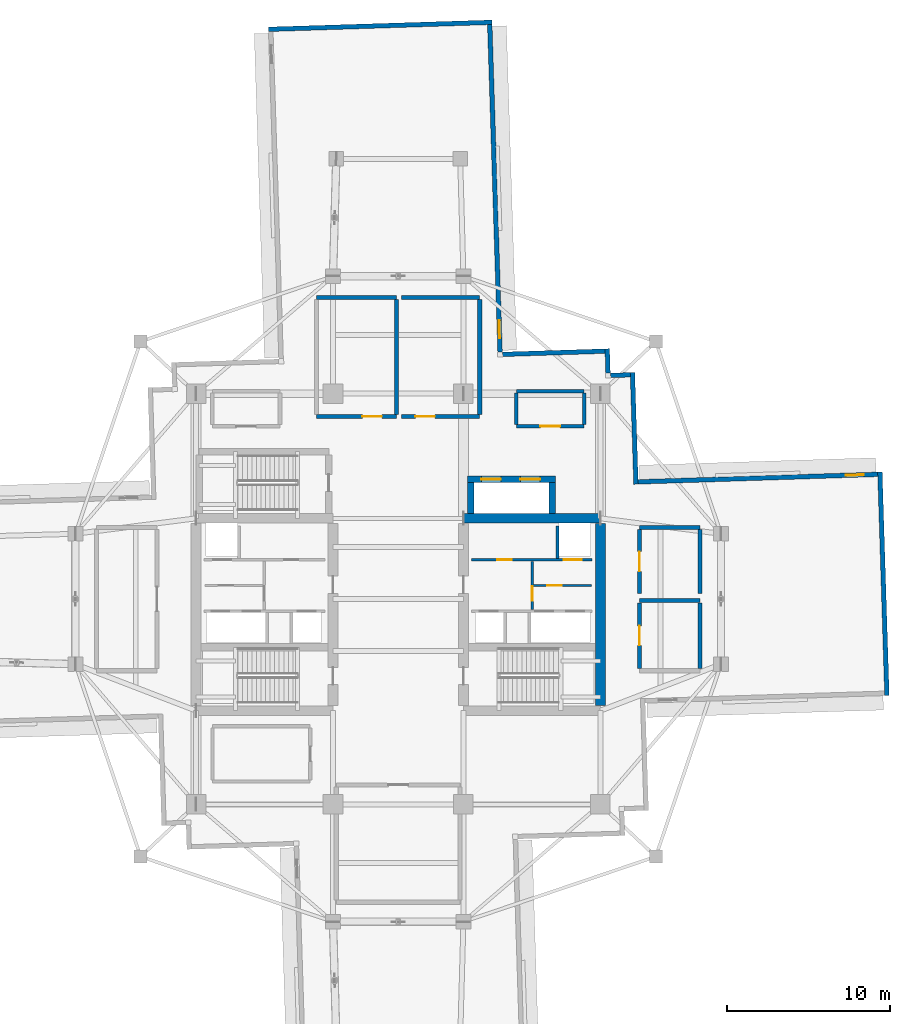
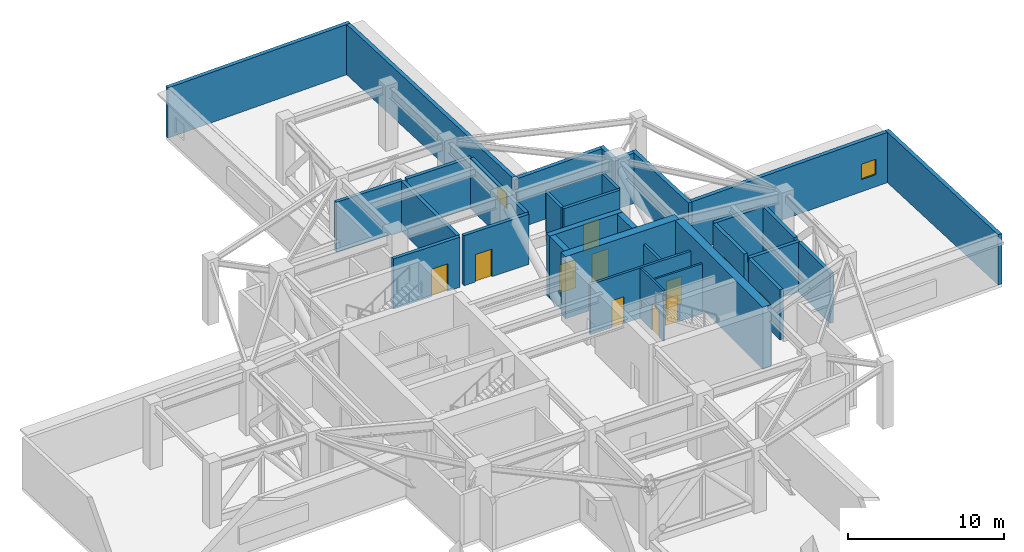
# One storey, part 11 of 17: 33 walls, 11 doors, 2 windows, 13 openings.
"""IFC4 building model written with IfcOpenShell, lengths in metres."""

from ifc_helpers import new_model, si_unit, direction, frame, frame_2d, origin, place, context, subcontext, project, spatial, rectangle, extrude, material, layer, layer_set, type_object, element, fill, save


model = new_model("IFC4")

# Units and contexts
model_context = context("Model", 3, precision=1e-05, world=origin(), true_north=direction((0.0, 1.0)))
body_context = subcontext(model_context, "Body", "Model", "MODEL_VIEW")
ifc_project = project(units=[si_unit("LENGTHUNIT", "METRE"), si_unit("AREAUNIT", "SQUARE_METRE"), si_unit("VOLUMEUNIT", "CUBIC_METRE"), si_unit("PLANEANGLEUNIT", "RADIAN"), si_unit("MASSUNIT", "GRAM", prefix="KILO")], contexts=[model_context])

# Site, building, storey
site_placement = place(None, origin())
site = spatial("IfcSite", under=ifc_project, at=site_placement, CompositionType="ELEMENT")
building_placement = place(site_placement, origin())
building = spatial("IfcBuilding", under=site, at=building_placement, Name="Qingluan Cross Belvedere", CompositionType="ELEMENT")
storey_placement = place(building_placement, frame((0.0, 0.0, 191.699951171875)))
storey = spatial("IfcBuildingStorey", under=building, at=storey_placement, Name="L48", CompositionType="ELEMENT", Elevation=191.699951171875)

# Wall
ifc_material_1 = material(Name="Concrete C50", Category="concrete")
ifc_layer_1 = layer(ifc_material_1, 0.449951171875, Name="CoreShearWall_450")
ifc_layer_set_1 = layer_set([ifc_layer_1], Name="Concrete C50")
wall_type_1 = type_object("IfcWallType", Name="CoreShearWall_450", PredefinedType="SHEAR", material=ifc_layer_set_1)
wall_1_placement = place(storey_placement, frame((4.449951171875, 5.2548828125, 0.0), z_axis=(0.0, 0.0, 1.0), x_axis=(0.0, 1.0, 0.0)))
element("IfcWall", 1, at=wall_1_placement, inside=storey, type_object=wall_type_1, Name="Express shuttle core wall L48-W", PredefinedType="SHEAR", context=body_context, shape_type="SweptSolid", body=[
    extrude(rectangle(XDim=1.885009765625, YDim=0.39990234375, at=frame_2d((0.9423828125, 0.0))), origin(), (0.0, 0.0, 1.0), 4.85009765625),
])

# Wall, openings, doors
wall_2_placement = place(storey_placement, frame((4.25, 7.35009765625, 0.0), z_axis=(0.0, 0.0, 1.0), x_axis=(1.0, 0.0, 0.0)))
wall_2 = element("IfcWall", 2, at=wall_2_placement, inside=storey, type_object=wall_type_1, Name="Express shuttle core wall L48-N", PredefinedType="SHEAR", context=body_context, shape_type="SweptSolid", body=[
    extrude(rectangle(XDim=5.39990234375, YDim=0.39990234375, at=frame_2d((2.699951171875, 0.0))), origin(), (0.0, 0.0, 1.0), 4.85009765625),
])
opening_1_placement = place(wall_2_placement, frame((0.85009765625, 0.0, 0.0)))
opening_1 = element("IfcOpeningElement", 3, at=opening_1_placement, cuts=wall_2, Name="Opening LD-12", PredefinedType="OPENING", context=body_context, shape_type="SweptSolid", body=[
    extrude(rectangle(XDim=1.199951171875, YDim=2.199951171875, at=frame_2d((0.60009765625, 1.10009765625))), frame((0.0, 0.2099609375, 0.0), z_axis=(0.0, -1.0, 0.0), x_axis=(1.0, 0.0, 0.0)), (0.0, 0.0, 1.0), 0.419921875),
])
opening_2_placement = place(wall_2_placement, frame((3.25, 0.0, 0.0)))
opening_2 = element("IfcOpeningElement", 4, at=opening_2_placement, cuts=wall_2, Name="Opening LD-12", PredefinedType="OPENING", context=body_context, shape_type="SweptSolid", body=[
    extrude(rectangle(XDim=1.199951171875, YDim=2.199951171875, at=frame_2d((0.60009765625, 1.10009765625))), frame((0.0, 0.2099609375, 0.0), z_axis=(0.0, -1.0, 0.0), x_axis=(1.0, 0.0, 0.0)), (0.0, 0.0, 1.0), 0.419921875),
])
ifc_material_2 = material(Name="Bronze-anodised stainless steel lift landing door", Category="steel")
door_type_1 = type_object("IfcDoorType", Name="ExpressLiftSlidingDoor_1200", OperationType="DOUBLE_DOOR_SLIDING", PredefinedType="DOOR", material=ifc_material_2)
door_1_placement = place(opening_1_placement, origin())
door_1 = element("IfcDoor", 5, at=door_1_placement, inside=storey, type_object=door_type_1, Name="Express shuttle landing sliding door LPX1 L48", OperationType="DOUBLE_DOOR_SLIDING", OverallHeight=2.199951171875, OverallWidth=1.199951171875, PredefinedType="DOOR", context=body_context, shape_type="SweptSolid", body=[
    extrude(rectangle(XDim=1.199951171875, YDim=2.199951171875, at=frame_2d((0.60009765625, 1.10009765625))), frame((0.0, 0.02490234375, 0.0), z_axis=(0.0, -1.0, 0.0), x_axis=(1.0, 0.0, 0.0)), (0.0, 0.0, 1.0), 0.050048828125),
])
fill(opening_1, door_1)
door_2_placement = place(opening_2_placement, origin())
door_2 = element("IfcDoor", 6, at=door_2_placement, inside=storey, type_object=door_type_1, Name="Express shuttle landing sliding door LPX2 L48", OperationType="DOUBLE_DOOR_SLIDING", OverallHeight=2.199951171875, OverallWidth=1.199951171875, PredefinedType="DOOR", context=body_context, shape_type="SweptSolid", body=[
    extrude(rectangle(XDim=1.199951171875, YDim=2.199951171875, at=frame_2d((0.60009765625, 1.10009765625))), frame((0.0, 0.02490234375, 0.0), z_axis=(0.0, -1.0, 0.0), x_axis=(1.0, 0.0, 0.0)), (0.0, 0.0, 1.0), 0.050048828125),
])
fill(opening_2, door_2)

# Walls
wall_3_placement = place(storey_placement, frame((9.449951171875, 5.2548828125, 0.0), z_axis=(0.0, 0.0, 1.0), x_axis=(0.0, 1.0, 0.0)))
element("IfcWall", 7, at=wall_3_placement, inside=storey, type_object=wall_type_1, Name="Express shuttle core wall L48-E", PredefinedType="SHEAR", context=body_context, shape_type="SweptSolid", body=[
    extrude(rectangle(XDim=1.885009765625, YDim=0.39990234375, at=frame_2d((0.9423828125, 0.0))), origin(), (0.0, 0.0, 1.0), 4.85009765625),
])
ifc_material_3 = material(Name="Concrete C60", Category="concrete")
ifc_layer_2 = layer(ifc_material_3, 0.60009765625, Name="CoreShearWall_600")
ifc_layer_set_2 = layer_set([ifc_layer_2], Name="Concrete C60")
wall_type_2 = type_object("IfcWallType", Name="CoreShearWall_600", PredefinedType="SHEAR", material=ifc_layer_set_2)
wall_4_placement = place(storey_placement, frame((4.0, 4.949951171875, 0.0), z_axis=(0.0, 0.0, 1.0), x_axis=(1.0, 0.0, 0.0)))
element("IfcWall", 8, at=wall_4_placement, inside=storey, type_object=wall_type_2, Name="Split core E shear wall L48-N", PredefinedType="SHEAR", context=body_context, shape_type="SweptSolid", body=[
    extrude(rectangle(XDim=8.39990234375, YDim=0.60009765625, at=frame_2d((4.199951171875, 0.0))), origin(), (0.0, 0.0, 1.0), 4.85009765625),
])
wall_5_placement = place(storey_placement, frame((12.39990234375, -6.544921875, 0.0), z_axis=(0.0, 0.0, 1.0), x_axis=(0.0, 1.0, 0.0)))
element("IfcWall", 9, at=wall_5_placement, inside=storey, type_object=wall_type_2, Name="Split core E shear wall L48-E", PredefinedType="SHEAR", context=body_context, shape_type="SweptSolid", body=[
    extrude(rectangle(XDim=11.18994140625, YDim=0.60009765625, at=frame_2d((5.594970703125, 0.0))), origin(), (0.0, 0.0, 1.0), 4.85009765625),
])

# Wall, opening, door
ifc_material_4 = material(Name="Gypsum plasterboard on steel stud acoustic partition", Category="steel")
ifc_layer_3 = layer(ifc_material_4, 0.159912109375, Name="CorridorPartition_160")
ifc_layer_set_3 = layer_set([ifc_layer_3], Name="Gypsum plasterboard on steel stud acoustic partition")
wall_type_3 = type_object("IfcWallType", Name="CorridorPartition_160", PredefinedType="PARTITIONING", material=ifc_layer_set_3)
wall_6_placement = place(storey_placement, frame((8.298095703125, 0.830078125, 0.0), z_axis=(0.0, 0.0, 1.0), x_axis=(1.0, 0.0, 0.0)))
wall_6 = element("IfcWall", 10, at=wall_6_placement, inside=storey, type_object=wall_type_3, Name="Partition L48:e", PredefinedType="PARTITIONING", context=body_context, shape_type="SweptSolid", body=[
    extrude(rectangle(XDim=3.552001953125, YDim=0.139892578125, at=frame_2d((1.77587890625, 0.0))), origin(), (0.0, 0.0, 1.0), 3.920166015625),
])
opening_3_placement = place(wall_6_placement, frame((0.85009765625, 0.0, 0.0)))
opening_3 = element("IfcOpeningElement", 11, at=opening_3_placement, cuts=wall_6, Name="Opening FD-B10", PredefinedType="OPENING", context=body_context, shape_type="SweptSolid", body=[
    extrude(rectangle(XDim=0.8798828125, YDim=2.10009765625, at=frame_2d((0.43994140625, 1.050048828125))), frame((0.0, 0.079833984375, 0.0), z_axis=(0.0, -1.0, 0.0), x_axis=(1.0, 0.0, 0.0)), (0.0, 0.0, 1.0), 0.159912109375),
])
ifc_material_5 = material(Name="Steel Class B service fire door", Category="steel")
door_type_2 = type_object("IfcDoorType", Name="RiserServiceFireDoor_FDB", OperationType="NOTDEFINED", PredefinedType="DOOR", material=ifc_material_5)
door_3_placement = place(opening_3_placement, origin())
door_3 = element("IfcDoor", 12, at=door_3_placement, inside=storey, type_object=door_type_2, Name="Service closet inner door L48", OperationType="SINGLE_SWING_RIGHT", OverallHeight=2.10009765625, OverallWidth=0.8798828125, PredefinedType="DOOR", context=body_context, shape_type="SweptSolid", body=[
    extrude(rectangle(XDim=0.8798828125, YDim=2.10009765625, at=frame_2d((0.43994140625, 1.050048828125))), frame((0.0, 0.02490234375, 0.0), z_axis=(0.0, -1.0, 0.0), x_axis=(1.0, 0.0, 0.0)), (0.0, 0.0, 1.0), 0.050048828125),
])
fill(opening_3, door_3)

wall_7_placement = place(storey_placement, frame((7.25, 10.60009765625, 0.0), z_axis=(0.0, 0.0, 1.0), x_axis=(1.0, 0.0, 0.0)))
wall_7 = element("IfcWall", 13, at=wall_7_placement, inside=storey, type_object=wall_type_3, Name="Partition L48:refuge_ne:S", PredefinedType="PARTITIONING", context=body_context, shape_type="SweptSolid", body=[
    extrude(rectangle(XDim=4.14990234375, YDim=0.219970703125, at=frame_2d((2.074951171875, 0.0))), origin(), (0.0, 0.0, 1.0), 3.920166015625),
])
opening_4_placement = place(wall_7_placement, frame((1.47509765625, 0.0, 0.0)))
opening_4 = element("IfcOpeningElement", 14, at=opening_4_placement, cuts=wall_7, Name="Opening FD-A12", PredefinedType="OPENING", context=body_context, shape_type="SweptSolid", body=[
    extrude(rectangle(XDim=1.199951171875, YDim=2.14990234375, at=frame_2d((0.60009765625, 1.074951171875))), frame((0.0, 0.119873046875, 0.0), z_axis=(0.0, -1.0, 0.0), x_axis=(1.0, 0.0, 0.0)), (0.0, 0.0, 1.0), 0.239990234375),
])
ifc_material_6 = material(Name="Insulated steel Class A fire door", Category="steel")
door_type_3 = type_object("IfcDoorType", Name="RefugeCompartmentDoor_FDA", OperationType="NOTDEFINED", PredefinedType="DOOR", material=ifc_material_6)
door_4_placement = place(opening_4_placement, origin())
door_4 = element("IfcDoor", 15, at=door_4_placement, inside=storey, type_object=door_type_3, Name="Fire refuge bay Northeast L48 door", OperationType="SINGLE_SWING_RIGHT", OverallHeight=2.14990234375, OverallWidth=1.199951171875, PredefinedType="DOOR", context=body_context, shape_type="SweptSolid", body=[
    extrude(rectangle(XDim=1.199951171875, YDim=2.14990234375, at=frame_2d((0.60009765625, 1.074951171875))), frame((0.0, 0.02490234375, 0.0), z_axis=(0.0, -1.0, 0.0), x_axis=(1.0, 0.0, 0.0)), (0.0, 0.0, 1.0), 0.050048828125),
])
fill(opening_4, door_4)

# Walls
wall_8_placement = place(storey_placement, frame((7.25, 12.75, 0.0), z_axis=(0.0, 0.0, 1.0), x_axis=(1.0, 0.0, 0.0)))
element("IfcWall", 16, at=wall_8_placement, inside=storey, type_object=wall_type_3, Name="Partition L48:refuge_ne:N", PredefinedType="PARTITIONING", context=body_context, shape_type="SweptSolid", body=[
    extrude(rectangle(XDim=4.14990234375, YDim=0.219970703125, at=frame_2d((2.074951171875, 0.0))), origin(), (0.0, 0.0, 1.0), 3.920166015625),
])
for number, where, z_axis, x_axis, name in (
    (17, (7.25, 10.715087890625, 0.0), (0.0, 0.0, 1.0), (0.0, 1.0, 0.0), "Partition L48:refuge_ne:W"),
    (18, (11.39990234375, 10.715087890625, 0.0), (0.0, 0.0, 1.0), (0.0, 1.0, 0.0), "Partition L48:refuge_ne:E"),
):
    element("IfcWall", number, at=place(storey_placement, frame(where, z_axis=z_axis, x_axis=x_axis)), inside=storey, type_object=wall_type_3, Name=name, PredefinedType="PARTITIONING", context=body_context, shape_type="SweptSolid", body=[
        extrude(rectangle(XDim=1.919921875, YDim=0.219970703125, at=frame_2d((0.9599609375, 0.0))), origin(), (0.0, 0.0, 1.0), 3.920166015625),
    ])

# Wall, opening, door
ifc_material_7 = material(Name="Concrete C40", Category="concrete")
ifc_layer_4 = layer(ifc_material_7, 0.300048828125, Name="FireCompartmentWall_300")
ifc_layer_set_4 = layer_set([ifc_layer_4], Name="Concrete C40")
wall_type_4 = type_object("IfcWallType", Name="FireCompartmentWall_300", PredefinedType="SOLIDWALL", material=ifc_layer_set_4)
wall_9_placement = place(storey_placement, frame((-5.0, 11.199951171875, 0.0), z_axis=(0.0, 0.0, 1.0), x_axis=(1.0, 0.0, 0.0)))
wall_9 = element("IfcWall", 19, at=wall_9_placement, inside=storey, type_object=wall_type_4, Name="Partition L48:refuge_n1:S", PredefinedType="SOLIDWALL", context=body_context, shape_type="SweptSolid", body=[
    extrude(rectangle(XDim=4.89990234375, YDim=0.25, at=frame_2d((2.449951171875, 0.0))), origin(), (0.0, 0.0, 1.0), 3.920166015625),
])
opening_5_placement = place(wall_9_placement, frame((2.800048828125, 0.0, 0.0)))
opening_5 = element("IfcOpeningElement", 20, at=opening_5_placement, cuts=wall_9, Name="Opening FD-A12", PredefinedType="OPENING", context=body_context, shape_type="SweptSolid", body=[
    extrude(rectangle(XDim=1.199951171875, YDim=2.14990234375, at=frame_2d((0.60009765625, 1.074951171875))), frame((0.0, 0.135009765625, 0.0), z_axis=(0.0, -1.0, 0.0), x_axis=(1.0, 0.0, 0.0)), (0.0, 0.0, 1.0), 0.27001953125),
])
door_5_placement = place(opening_5_placement, origin())
door_5 = element("IfcDoor", 21, at=door_5_placement, inside=storey, type_object=door_type_3, Name="Fire refuge area North-West L48 door", OperationType="SINGLE_SWING_RIGHT", OverallHeight=2.14990234375, OverallWidth=1.199951171875, PredefinedType="DOOR", context=body_context, shape_type="SweptSolid", body=[
    extrude(rectangle(XDim=1.199951171875, YDim=2.14990234375, at=frame_2d((0.60009765625, 1.074951171875))), frame((0.0, 0.02490234375, 0.0), z_axis=(0.0, -1.0, 0.0), x_axis=(1.0, 0.0, 0.0)), (0.0, 0.0, 1.0), 0.050048828125),
])
fill(opening_5, door_5)

# Walls
wall_10_placement = place(storey_placement, frame((-5.0, 18.5, 0.0), z_axis=(0.0, 0.0, 1.0), x_axis=(1.0, 0.0, 0.0)))
element("IfcWall", 22, at=wall_10_placement, inside=storey, type_object=wall_type_4, Name="Partition L48:refuge_n1:N", PredefinedType="SOLIDWALL", context=body_context, shape_type="SweptSolid", body=[
    extrude(rectangle(XDim=4.89990234375, YDim=0.25, at=frame_2d((2.449951171875, 0.0))), origin(), (0.0, 0.0, 1.0), 3.920166015625),
])
wall_11_placement = place(storey_placement, frame((-0.10009765625, 11.330078125, 0.0), z_axis=(0.0, 0.0, 1.0), x_axis=(0.0, 1.0, 0.0)))
element("IfcWall", 23, at=wall_11_placement, inside=storey, type_object=wall_type_4, Name="Partition L48:refuge_n1:E", PredefinedType="SOLIDWALL", context=body_context, shape_type="SweptSolid", body=[
    extrude(rectangle(XDim=7.0400390625, YDim=0.25, at=frame_2d((3.52001953125, 0.0))), origin(), (0.0, 0.0, 1.0), 3.920166015625),
])

# Wall, opening, door
wall_12_placement = place(storey_placement, frame((0.199951171875, 11.199951171875, 0.0), z_axis=(0.0, 0.0, 1.0), x_axis=(1.0, 0.0, 0.0)))
wall_12 = element("IfcWall", 24, at=wall_12_placement, inside=storey, type_object=wall_type_4, Name="Partition L48:refuge_n2:S", PredefinedType="SOLIDWALL", context=body_context, shape_type="SweptSolid", body=[
    extrude(rectangle(XDim=4.800048828125, YDim=0.25, at=frame_2d((2.39990234375, 0.0))), origin(), (0.0, 0.0, 1.0), 3.920166015625),
])
opening_6_placement = place(wall_12_placement, frame((0.85009765625, 0.0, 0.0)))
opening_6 = element("IfcOpeningElement", 25, at=opening_6_placement, cuts=wall_12, Name="Opening FD-A12", PredefinedType="OPENING", context=body_context, shape_type="SweptSolid", body=[
    extrude(rectangle(XDim=1.199951171875, YDim=2.14990234375, at=frame_2d((0.60009765625, 1.074951171875))), frame((0.0, 0.135009765625, 0.0), z_axis=(0.0, -1.0, 0.0), x_axis=(1.0, 0.0, 0.0)), (0.0, 0.0, 1.0), 0.27001953125),
])
door_6_placement = place(opening_6_placement, origin())
door_6 = element("IfcDoor", 26, at=door_6_placement, inside=storey, type_object=door_type_3, Name="Fire refuge area North-East L48 door", OperationType="SINGLE_SWING_LEFT", OverallHeight=2.14990234375, OverallWidth=1.199951171875, PredefinedType="DOOR", context=body_context, shape_type="SweptSolid", body=[
    extrude(rectangle(XDim=1.199951171875, YDim=2.14990234375, at=frame_2d((0.60009765625, 1.074951171875))), frame((0.0, 0.02490234375, 0.0), z_axis=(0.0, -1.0, 0.0), x_axis=(1.0, 0.0, 0.0)), (0.0, 0.0, 1.0), 0.050048828125),
])
fill(opening_6, door_6)

# Walls
wall_13_placement = place(storey_placement, frame((0.199951171875, 18.5, 0.0), z_axis=(0.0, 0.0, 1.0), x_axis=(1.0, 0.0, 0.0)))
element("IfcWall", 27, at=wall_13_placement, inside=storey, type_object=wall_type_4, Name="Partition L48:refuge_n2:N", PredefinedType="SOLIDWALL", context=body_context, shape_type="SweptSolid", body=[
    extrude(rectangle(XDim=4.800048828125, YDim=0.25, at=frame_2d((2.39990234375, 0.0))), origin(), (0.0, 0.0, 1.0), 3.920166015625),
])
wall_14_placement = place(storey_placement, frame((5.0, 11.330078125, 0.0), z_axis=(0.0, 0.0, 1.0), x_axis=(0.0, 1.0, 0.0)))
element("IfcWall", 28, at=wall_14_placement, inside=storey, type_object=wall_type_4, Name="Partition L48:refuge_n2:E", PredefinedType="SOLIDWALL", context=body_context, shape_type="SweptSolid", body=[
    extrude(rectangle(XDim=7.0400390625, YDim=0.25, at=frame_2d((3.52001953125, 0.0))), origin(), (0.0, 0.0, 1.0), 3.920166015625),
])
wall_15_placement = place(storey_placement, frame((14.800048828125, -0.10009765625, 0.0), z_axis=(0.0, 0.0, 1.0), x_axis=(1.0, 0.0, 0.0)))
element("IfcWall", 29, at=wall_15_placement, inside=storey, type_object=wall_type_4, Name="Partition L48:ahu_s:N", PredefinedType="SOLIDWALL", context=body_context, shape_type="SweptSolid", body=[
    extrude(rectangle(XDim=3.699951171875, YDim=0.25, at=frame_2d((1.85009765625, 0.0))), origin(), (0.0, 0.0, 1.0), 3.920166015625),
])

# Wall, opening, door
wall_16_placement = place(storey_placement, frame((14.800048828125, -4.27001953125, 0.0), z_axis=(0.0, 0.0, 1.0), x_axis=(0.0, 1.0, 0.0)))
wall_16 = element("IfcWall", 30, at=wall_16_placement, inside=storey, type_object=wall_type_4, Name="Partition L48:ahu_s:W", PredefinedType="SOLIDWALL", context=body_context, shape_type="SweptSolid", body=[
    extrude(rectangle(XDim=4.0400390625, YDim=0.25, at=frame_2d((2.02001953125, 0.0))), origin(), (0.0, 0.0, 1.0), 3.920166015625),
])
opening_7_placement = place(wall_16_placement, frame((1.419921875, 0.0, 0.0)))
opening_7 = element("IfcOpeningElement", 31, at=opening_7_placement, cuts=wall_16, Name="Opening FD-A12", PredefinedType="OPENING", context=body_context, shape_type="SweptSolid", body=[
    extrude(rectangle(XDim=1.199951171875, YDim=2.14990234375, at=frame_2d((0.60009765625, 1.074951171875))), frame((0.0, 0.135009765625, 0.0), z_axis=(0.0, -1.0, 0.0), x_axis=(1.0, 0.0, 0.0)), (0.0, 0.0, 1.0), 0.27001953125),
])
door_7_placement = place(opening_7_placement, origin())
door_7 = element("IfcDoor", 32, at=door_7_placement, inside=storey, type_object=door_type_3, Name="Supply air handling plant room L48 door", OperationType="SINGLE_SWING_LEFT", OverallHeight=2.14990234375, OverallWidth=1.199951171875, PredefinedType="DOOR", context=body_context, shape_type="SweptSolid", body=[
    extrude(rectangle(XDim=1.199951171875, YDim=2.14990234375, at=frame_2d((0.60009765625, 1.074951171875))), frame((0.0, 0.02490234375, 0.0), z_axis=(0.0, -1.0, 0.0), x_axis=(1.0, 0.0, 0.0)), (0.0, 0.0, 1.0), 0.050048828125),
])
fill(opening_7, door_7)

# Walls
wall_17_placement = place(storey_placement, frame((18.5, -4.27001953125, 0.0), z_axis=(0.0, 0.0, 1.0), x_axis=(0.0, 1.0, 0.0)))
element("IfcWall", 33, at=wall_17_placement, inside=storey, type_object=wall_type_4, Name="Partition L48:ahu_s:E", PredefinedType="SOLIDWALL", context=body_context, shape_type="SweptSolid", body=[
    extrude(rectangle(XDim=4.0400390625, YDim=0.25, at=frame_2d((2.02001953125, 0.0))), origin(), (0.0, 0.0, 1.0), 3.920166015625),
])
wall_18_placement = place(storey_placement, frame((14.800048828125, 4.39990234375, 0.0), z_axis=(0.0, 0.0, 1.0), x_axis=(1.0, 0.0, 0.0)))
element("IfcWall", 34, at=wall_18_placement, inside=storey, type_object=wall_type_4, Name="Partition L48:ahu_n:N", PredefinedType="SOLIDWALL", context=body_context, shape_type="SweptSolid", body=[
    extrude(rectangle(XDim=3.699951171875, YDim=0.25, at=frame_2d((1.85009765625, 0.0))), origin(), (0.0, 0.0, 1.0), 3.920166015625),
])

# Wall, opening, door
wall_19_placement = place(storey_placement, frame((14.800048828125, 0.330078125, 0.0), z_axis=(0.0, 0.0, 1.0), x_axis=(0.0, 1.0, 0.0)))
wall_19 = element("IfcWall", 35, at=wall_19_placement, inside=storey, type_object=wall_type_4, Name="Partition L48:ahu_n:W", PredefinedType="SOLIDWALL", context=body_context, shape_type="SweptSolid", body=[
    extrude(rectangle(XDim=3.93994140625, YDim=0.25, at=frame_2d((1.969970703125, 0.0))), origin(), (0.0, 0.0, 1.0), 3.920166015625),
])
opening_8_placement = place(wall_19_placement, frame((1.3701171875, 0.0, 0.0)))
opening_8 = element("IfcOpeningElement", 36, at=opening_8_placement, cuts=wall_19, Name="Opening FD-A12", PredefinedType="OPENING", context=body_context, shape_type="SweptSolid", body=[
    extrude(rectangle(XDim=1.199951171875, YDim=2.14990234375, at=frame_2d((0.60009765625, 1.074951171875))), frame((0.0, 0.135009765625, 0.0), z_axis=(0.0, -1.0, 0.0), x_axis=(1.0, 0.0, 0.0)), (0.0, 0.0, 1.0), 0.27001953125),
])
door_8_placement = place(opening_8_placement, origin())
door_8 = element("IfcDoor", 37, at=door_8_placement, inside=storey, type_object=door_type_3, Name="Heat-recovery exhaust plant room L48 door", OperationType="SINGLE_SWING_RIGHT", OverallHeight=2.14990234375, OverallWidth=1.199951171875, PredefinedType="DOOR", context=body_context, shape_type="SweptSolid", body=[
    extrude(rectangle(XDim=1.199951171875, YDim=2.14990234375, at=frame_2d((0.60009765625, 1.074951171875))), frame((0.0, 0.02490234375, 0.0), z_axis=(0.0, -1.0, 0.0), x_axis=(1.0, 0.0, 0.0)), (0.0, 0.0, 1.0), 0.050048828125),
])
fill(opening_8, door_8)

# Wall
wall_20_placement = place(storey_placement, frame((18.5, 0.330078125, 0.0), z_axis=(0.0, 0.0, 1.0), x_axis=(0.0, 1.0, 0.0)))
element("IfcWall", 38, at=wall_20_placement, inside=storey, type_object=wall_type_4, Name="Partition L48:ahu_n:E", PredefinedType="SOLIDWALL", context=body_context, shape_type="SweptSolid", body=[
    extrude(rectangle(XDim=3.93994140625, YDim=0.25, at=frame_2d((1.969970703125, 0.0))), origin(), (0.0, 0.0, 1.0), 3.920166015625),
])

# Wall, opening, window
ifc_material_8 = material(Name="Precast concrete C45", Category="concrete")
ifc_layer_5 = layer(ifc_material_8, 0.280029296875, Name="PrecastFacadeWall_280")
ifc_layer_set_5 = layer_set([ifc_layer_5], Name="Precast concrete C45")
wall_type_5 = type_object("IfcWallType", Name="PrecastFacadeWall_280", PredefinedType="STANDARD", material=ifc_layer_set_5)
wall_21_placement = place(storey_placement, frame((29.414306640625, 7.647705078125, 0.0), z_axis=(0.0, 0.0, 1.0), x_axis=(-0.999506714454, -0.031405855522, 0.0)))
wall_21 = element("IfcWall", 39, at=wall_21_placement, inside=storey, type_object=wall_type_5, Name="Facade wall L48-EB", PredefinedType="STANDARD", context=body_context, shape_type="SweptSolid", body=[
    extrude(rectangle(XDim=14.7001953125, YDim=0.280029296875, at=frame_2d((7.35009765625, 0.0))), origin(), (0.0, 0.0, 1.0), 3.929931640625),
])
opening_9_placement = place(wall_21_placement, frame((0.85009765625, 0.0, 0.949951171875)))
opening_9 = element("IfcOpeningElement", 40, at=opening_9_placement, cuts=wall_21, Name="Opening W-07", PredefinedType="OPENING", context=body_context, shape_type="SweptSolid", body=[
    extrude(rectangle(XDim=1.10009765625, YDim=1.199951171875, at=frame_2d((0.550048828125, 0.60009765625))), frame((0.0, 0.14990234375, 0.0), z_axis=(0.0, -1.0, 0.0), x_axis=(1.0, 0.0, 0.0)), (0.0, 0.0, 1.0), 0.300048828125),
])
ifc_material_9 = material(Name="Thermally broken triple Low-E glass in aluminium frame", Category="aluminium")
window_type = type_object("IfcWindowType", Name="RefugeSmokeWin_1100x1200", PartitioningType="SINGLE_PANEL", PredefinedType="WINDOW", material=ifc_material_9)
window_1_placement = place(opening_9_placement, origin())
window_1 = element("IfcWindow", 41, at=window_1_placement, inside=storey, type_object=window_type, Name="Refuge operable smoke window L48-EB", OverallHeight=1.199951171875, OverallWidth=1.10009765625, PartitioningType="SINGLE_PANEL", PredefinedType="WINDOW", context=body_context, shape_type="SweptSolid", body=[
    extrude(rectangle(XDim=1.10009765625, YDim=1.199951171875, at=frame_2d((0.550048828125, 0.60009765625))), frame((0.0, 0.030029296875, 0.0), z_axis=(0.0, -1.0, 0.0), x_axis=(1.0, 0.0, 0.0)), (0.0, 0.0, 1.0), 0.06005859375),
])
fill(opening_9, window_1)

# Wall
wall_22_placement = place(storey_placement, frame((29.980712890625, -5.921142578125, 0.0), z_axis=(0.0, 0.0, 1.0), x_axis=(-0.031407524763, 0.999506662003, 0.0)))
element("IfcWall", 42, at=wall_22_placement, inside=storey, type_object=wall_type_5, Name="Arm tip precast facade wall L48-E", PredefinedType="STANDARD", context=body_context, shape_type="SweptSolid", body=[
    extrude(rectangle(XDim=13.719970703125, YDim=0.280029296875, at=frame_2d((6.85986328125, 0.0))), origin(), (0.0, 0.0, 1.0), 3.929931640625),
])

# Wall, opening, window
wall_23_placement = place(storey_placement, frame((6.247314453125, 15.143798828125, 0.0), z_axis=(0.0, 0.0, 1.0), x_axis=(-0.031398187845, 0.999506955354, 0.0)))
wall_23 = element("IfcWall", 43, at=wall_23_placement, inside=storey, type_object=wall_type_5, Name="Facade wall L48-NA", PredefinedType="STANDARD", context=body_context, shape_type="SweptSolid", body=[
    extrude(rectangle(XDim=20.10009765625, YDim=0.280029296875, at=frame_2d((10.050048828125, 0.0))), origin(), (0.0, 0.0, 1.0), 3.929931640625),
])
opening_10_placement = place(wall_23_placement, frame((0.85009765625, 0.0, 0.949951171875)))
opening_10 = element("IfcOpeningElement", 44, at=opening_10_placement, cuts=wall_23, Name="Opening W-07", PredefinedType="OPENING", context=body_context, shape_type="SweptSolid", body=[
    extrude(rectangle(XDim=1.10009765625, YDim=1.199951171875, at=frame_2d((0.550048828125, 0.60009765625))), frame((0.0, 0.14990234375, 0.0), z_axis=(0.0, -1.0, 0.0), x_axis=(1.0, 0.0, 0.0)), (0.0, 0.0, 1.0), 0.300048828125),
])
window_2_placement = place(opening_10_placement, origin())
window_2 = element("IfcWindow", 45, at=window_2_placement, inside=storey, type_object=window_type, Name="Refuge operable smoke window L48-NA", OverallHeight=1.199951171875, OverallWidth=1.10009765625, PartitioningType="SINGLE_PANEL", PredefinedType="WINDOW", context=body_context, shape_type="SweptSolid", body=[
    extrude(rectangle(XDim=1.10009765625, YDim=1.199951171875, at=frame_2d((0.550048828125, 0.60009765625))), frame((0.0, 0.030029296875, 0.0), z_axis=(0.0, -1.0, 0.0), x_axis=(1.0, 0.0, 0.0)), (0.0, 0.0, 1.0), 0.06005859375),
])
fill(opening_10, window_2)

# Walls
wall_24_placement = place(storey_placement, frame((5.751708984375, 35.378173828125, 0.0), z_axis=(0.0, 0.0, 1.0), x_axis=(-0.999506679556, -0.031406966164, 0.0)))
element("IfcWall", 46, at=wall_24_placement, inside=storey, type_object=wall_type_5, Name="Arm tip precast facade wall L48-N", PredefinedType="STANDARD", context=body_context, shape_type="SweptSolid", body=[
    extrude(rectangle(XDim=13.72021484375, YDim=0.280029296875, at=frame_2d((6.860107421875, 0.0))), origin(), (0.0, 0.0, 1.0), 3.929931640625),
])
wall_25_placement = place(storey_placement, frame((14.5859375, 7.04150390625, 0.0), z_axis=(0.0, 0.0, 1.0), x_axis=(-0.031389189386, 0.999507237988, 0.0)))
element("IfcWall", 47, at=wall_25_placement, inside=storey, type_object=wall_type_5, Name="Corner wall L48-NE1", PredefinedType="STANDARD", context=body_context, shape_type="SweptSolid", body=[
    extrude(rectangle(XDim=6.860107421875, YDim=0.280029296875, at=frame_2d((3.43017578125, 0.0))), origin(), (0.0, 0.0, 1.0), 3.929931640625),
])
wall_26_placement = place(storey_placement, frame((14.235107421875, 13.75390625, 0.0), z_axis=(0.0, 0.0, 1.0), x_axis=(-0.999506398264, -0.031415916822, 0.0)))
element("IfcWall", 48, at=wall_26_placement, inside=storey, type_object=wall_type_5, Name="Corner wall L48-NE2", PredefinedType="STANDARD", context=body_context, shape_type="SweptSolid", body=[
    extrude(rectangle(XDim=1.219970703125, YDim=0.280029296875, at=frame_2d((0.60986328125, 0.0))), origin(), (0.0, 0.0, 1.0), 3.929931640625),
])
wall_27_placement = place(storey_placement, frame((12.871337890625, 13.85107421875, 0.0), z_axis=(0.0, 0.0, 1.0), x_axis=(-0.031412596484, 0.999506502621, 0.0)))
element("IfcWall", 49, at=wall_27_placement, inside=storey, type_object=wall_type_5, Name="Corner wall L48-NE3", PredefinedType="STANDARD", context=body_context, shape_type="SweptSolid", body=[
    extrude(rectangle(XDim=1.5, YDim=0.280029296875, at=frame_2d((0.75, 0.0))), origin(), (0.0, 0.0, 1.0), 3.929931640625),
])
wall_28_placement = place(storey_placement, frame((12.688720703125, 15.2060546875, 0.0), z_axis=(0.0, 0.0, 1.0), x_axis=(-0.999507262922, -0.031388395416, 0.0)))
element("IfcWall", 50, at=wall_28_placement, inside=storey, type_object=wall_type_5, Name="Corner wall L48-NE4", PredefinedType="STANDARD", context=body_context, shape_type="SweptSolid", body=[
    extrude(rectangle(XDim=6.30029296875, YDim=0.280029296875, at=frame_2d((3.150146484375, 0.0))), origin(), (0.0, 0.0, 1.0), 3.929931640625),
])

# Wall, openings, doors
ifc_material_10 = material(Name="Concrete C40", Category="concrete")
ifc_layer_6 = layer(ifc_material_10, 0.219970703125, Name="ShaftEnclosureWall_250")
ifc_layer_set_6 = layer_set([ifc_layer_6], Name="Concrete C40")
wall_type_6 = type_object("IfcWallType", Name="ShaftEnclosureWall_250", PredefinedType="SOLIDWALL", material=ifc_layer_set_6)
wall_29_placement = place(storey_placement, frame((4.47998046875, 2.409912109375, 0.0), z_axis=(0.0, 0.0, 1.0), x_axis=(1.0, 0.0, 0.0)))
wall_29 = element("IfcWall", 51, at=wall_29_placement, inside=storey, type_object=wall_type_6, Name="Core-E north hoistway wall L48", PredefinedType="SOLIDWALL", context=body_context, shape_type="SweptSolid", body=[
    extrude(rectangle(XDim=7.419921875, YDim=0.179931640625, at=frame_2d((3.7099609375, 0.0))), origin(), (0.0, 0.0, 1.0), 3.920166015625),
])
opening_11_placement = place(wall_29_placement, frame((5.669921875, 0.0, 0.0)))
opening_11 = element("IfcOpeningElement", 52, at=opening_11_placement, cuts=wall_29, Name="Opening LD-11", PredefinedType="OPENING", context=body_context, shape_type="SweptSolid", body=[
    extrude(rectangle(XDim=1.10009765625, YDim=2.14990234375, at=frame_2d((0.550048828125, 1.074951171875))), frame((0.0, 0.099853515625, 0.0), z_axis=(0.0, -1.0, 0.0), x_axis=(1.0, 0.0, 0.0)), (0.0, 0.0, 1.0), 0.199951171875),
])
opening_12_placement = place(wall_29_placement, frame((1.60009765625, 0.0, 0.0)))
opening_12 = element("IfcOpeningElement", 53, at=opening_12_placement, cuts=wall_29, Name="Opening FD-B10", PredefinedType="OPENING", context=body_context, shape_type="SweptSolid", body=[
    extrude(rectangle(XDim=0.8798828125, YDim=2.10009765625, at=frame_2d((0.43994140625, 1.050048828125))), frame((0.0, 0.099853515625, 0.0), z_axis=(0.0, -1.0, 0.0), x_axis=(1.0, 0.0, 0.0)), (0.0, 0.0, 1.0), 0.199951171875),
])
ifc_material_11 = material(Name="Brushed stainless steel centre-opening lift landing door", Category="steel")
door_type_4 = type_object("IfcDoorType", Name="LiftLandingSlidingDoor_1100", OperationType="DOUBLE_DOOR_SLIDING", PredefinedType="DOOR", material=ifc_material_11)
door_9_placement = place(opening_11_placement, origin())
door_9 = element("IfcDoor", 54, at=door_9_placement, inside=storey, type_object=door_type_4, Name="Lift landing sliding door FL2 L48", OperationType="DOUBLE_DOOR_SLIDING", OverallHeight=2.14990234375, OverallWidth=1.10009765625, PredefinedType="DOOR", context=body_context, shape_type="SweptSolid", body=[
    extrude(rectangle(XDim=1.10009765625, YDim=2.14990234375, at=frame_2d((0.550048828125, 1.074951171875))), frame((0.0, 0.02490234375, 0.0), z_axis=(0.0, -1.0, 0.0), x_axis=(1.0, 0.0, 0.0)), (0.0, 0.0, 1.0), 0.050048828125),
])
fill(opening_11, door_9)
door_10_placement = place(opening_12_placement, origin())
door_10 = element("IfcDoor", 55, at=door_10_placement, inside=storey, type_object=door_type_2, Name="Pantry room door E L48", OperationType="SINGLE_SWING_RIGHT", OverallHeight=2.10009765625, OverallWidth=0.8798828125, PredefinedType="DOOR", context=body_context, shape_type="SweptSolid", body=[
    extrude(rectangle(XDim=0.8798828125, YDim=2.10009765625, at=frame_2d((0.43994140625, 1.050048828125))), frame((0.0, 0.02490234375, 0.0), z_axis=(0.0, -1.0, 0.0), x_axis=(1.0, 0.0, 0.0)), (0.0, 0.0, 1.0), 0.050048828125),
])
fill(opening_12, door_10)

# Wall
wall_30_placement = place(storey_placement, frame((9.760009765625, 2.5, 0.0), z_axis=(0.0, 0.0, 1.0), x_axis=(0.0, 1.0, 0.0)))
element("IfcWall", 56, at=wall_30_placement, inside=storey, type_object=wall_type_6, Name="Hoistway enclosure divider FL2W L48", PredefinedType="SOLIDWALL", context=body_context, shape_type="SweptSolid", body=[
    extrude(rectangle(XDim=1.989990234375, YDim=0.179931640625, at=frame_2d((0.9951171875, 0.0))), origin(), (0.0, 0.0, 1.0), 3.920166015625),
])

# Wall, opening, door
wall_31_placement = place(storey_placement, frame((8.219970703125, -0.64990234375, 0.0), z_axis=(0.0, 0.0, 1.0), x_axis=(0.0, 1.0, 0.0)))
wall_31 = element("IfcWall", 57, at=wall_31_placement, inside=storey, type_object=wall_type_6, Name="Core-E service corridor wall L48", PredefinedType="SOLIDWALL", context=body_context, shape_type="SweptSolid", body=[
    extrude(rectangle(XDim=2.9599609375, YDim=0.139892578125, at=frame_2d((1.47998046875, 0.0))), origin(), (0.0, 0.0, 1.0), 3.920166015625),
])
opening_13_placement = place(wall_31_placement, frame((0.550048828125, 0.0, 0.0)))
opening_13 = element("IfcOpeningElement", 58, at=opening_13_placement, cuts=wall_31, Name="Opening FD-B10", PredefinedType="OPENING", context=body_context, shape_type="SweptSolid", body=[
    extrude(rectangle(XDim=0.8798828125, YDim=2.10009765625, at=frame_2d((0.43994140625, 1.050048828125))), frame((0.0, 0.079833984375, 0.0), z_axis=(0.0, -1.0, 0.0), x_axis=(1.0, 0.0, 0.0)), (0.0, 0.0, 1.0), 0.159912109375),
])
door_11_placement = place(opening_13_placement, origin())
door_11 = element("IfcDoor", 59, at=door_11_placement, inside=storey, type_object=door_type_2, Name="Core-E service room door L48", OperationType="SINGLE_SWING_RIGHT", OverallHeight=2.10009765625, OverallWidth=0.8798828125, PredefinedType="DOOR", context=body_context, shape_type="SweptSolid", body=[
    extrude(rectangle(XDim=0.8798828125, YDim=2.10009765625, at=frame_2d((0.43994140625, 1.050048828125))), frame((0.0, 0.02490234375, 0.0), z_axis=(0.0, -1.0, 0.0), x_axis=(1.0, 0.0, 0.0)), (0.0, 0.0, 1.0), 0.050048828125),
])
fill(opening_13, door_11)

save(model, "model.ifc")
